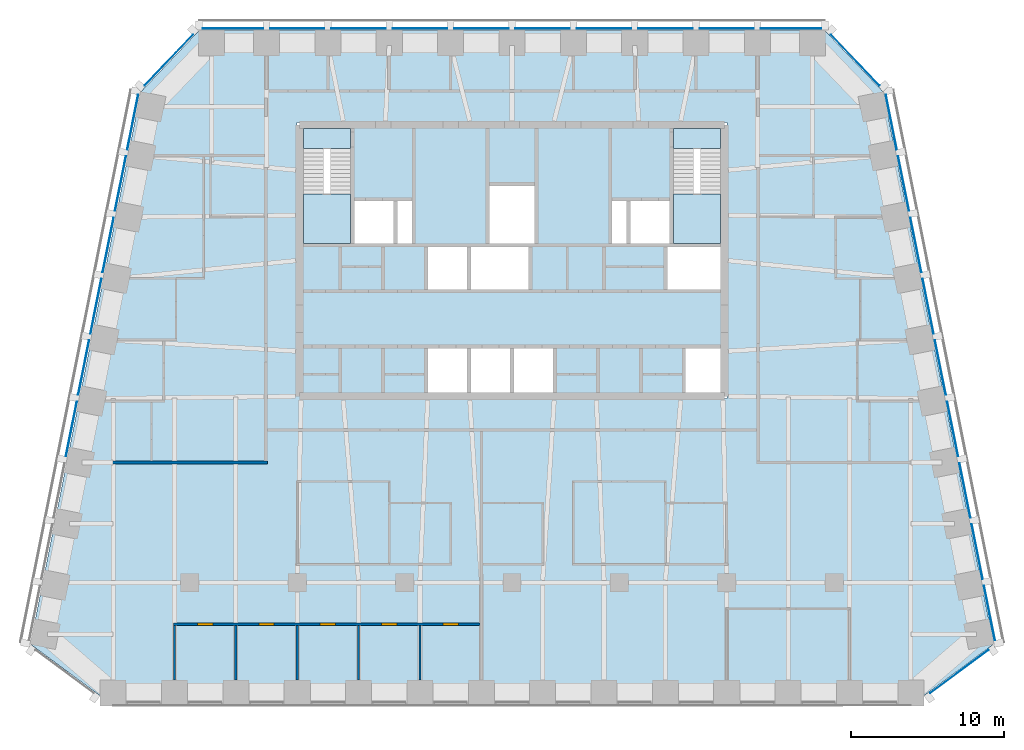
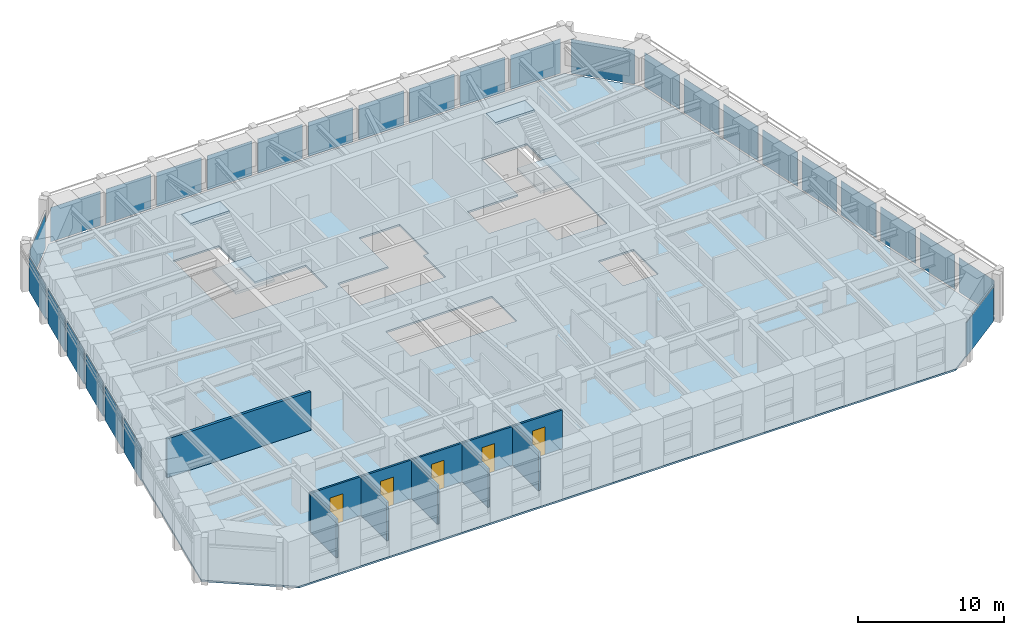
# One storey, part 4 of 11: 28 plates, 7 walls, 5 doors, 5 slabs, 5 openings, 8 elements without a shape of their own.
"""IFC4 building model written with IfcOpenShell, lengths in metres."""

from ifc_helpers import new_model, si_unit, direction, frame, frame_2d, origin, origin_2d, place, context, subcontext, project, spatial, polyline, rectangle, outline, extrude, material, layer, layer_set, type_object, element, fill, aggregate, save


model = new_model("IFC4")

# Units and contexts
model_context = context("Model", 3, precision=1e-05, world=origin(), true_north=direction((0.0, 1.0)))
body_context = subcontext(model_context, "Body", "Model", "MODEL_VIEW")
ifc_project = project(units=[si_unit("LENGTHUNIT", "METRE"), si_unit("AREAUNIT", "SQUARE_METRE"), si_unit("VOLUMEUNIT", "CUBIC_METRE"), si_unit("PLANEANGLEUNIT", "RADIAN"), si_unit("MASSUNIT", "GRAM", prefix="KILO")], contexts=[model_context])

# Site, building, storey
site_placement = place(None, origin())
site = spatial("IfcSite", under=ifc_project, at=site_placement, CompositionType="ELEMENT")
building_placement = place(site_placement, origin())
building = spatial("IfcBuilding", under=site, at=building_placement, Name="Isbrekke Arena Tower", CompositionType="ELEMENT")
storey_placement = place(building_placement, frame((0.0, 0.0, 264.0)))
storey = spatial("IfcBuildingStorey", under=building, at=storey_placement, Name="L61", CompositionType="ELEMENT", Elevation=264.0)

# Curtain wall, plate
ifc_material_1 = material(Name="Glazed aluminium curtain wall", Category="aluminium")
curtain_wall_type = type_object("IfcCurtainWallType", Name="CWT TOWER CURTAIN WALL TOP ZONE", PredefinedType="USERDEFINED", material=ifc_material_1)
curtain_wall_1_placement = place(storey_placement, origin())
curtain_wall_1 = element("IfcCurtainWall", 1, at=curtain_wall_1_placement, inside=storey, type_object=curtain_wall_type, Name="CWT curtain wall L61-SE", ObjectType="TOWER CURTAIN WALL TOP ZONE", PredefinedType="USERDEFINED")
ifc_material_2 = material(Name="Triple-glazed clear glass unit", Category="glass")
ifc_layer_1 = layer(ifc_material_2, 0.031982421875)
ifc_layer_set_1 = layer_set([ifc_layer_1], Name="CWT-P VISION PANEL")
plate_type = type_object("IfcPlateType", Name="CWT-P VISION PANEL", PredefinedType="CURTAIN_PANEL", material=ifc_layer_set_1)
plate_1_placement = place(storey_placement, frame((29.16259765625, -11.78173828125, 0.02001953125), z_axis=(0.0, 0.0, 1.0), x_axis=(0.803557193345, 0.595227550626, 0.0)))
plate_1 = element("IfcPlate", 2, at=plate_1_placement, type_object=plate_type, Name="CWT-P panel 1", PredefinedType="CURTAIN_PANEL", context=body_context, shape_type="SweptSolid", body=[
    extrude(rectangle(XDim=4.71435546875, YDim=0.031982421875, at=origin_2d()), origin(), (0.0, 0.0, 1.0), 2.8798828125),
])
aggregate(curtain_wall_1, [plate_1])

# Curtain wall, plates
curtain_wall_2_placement = place(storey_placement, origin())
curtain_wall_2 = element("IfcCurtainWall", 3, at=curtain_wall_2_placement, inside=storey, type_object=curtain_wall_type, Name="CWT curtain wall L61-E", ObjectType="TOWER CURTAIN WALL TOP ZONE", PredefinedType="USERDEFINED")
plate_2_placement = place(storey_placement, frame((31.12255859375, -7.9755859375, 0.02001953125), z_axis=(0.0, 0.0, 1.0), x_axis=(-0.196116135138, 0.980580675691, 0.0)))
plate_2 = element("IfcPlate", 4, at=plate_2_placement, type_object=plate_type, Name="CWT-P panel 1", PredefinedType="CURTAIN_PANEL", context=body_context, shape_type="SweptSolid", body=[
    extrude(rectangle(XDim=3.629150390625, YDim=0.031982421875, at=origin_2d()), origin(), (0.0, 0.0, 1.0), 2.8798828125),
])
plate_3_placement = place(storey_placement, frame((30.322509765625, -3.9755859375, 0.02001953125), z_axis=(0.0, 0.0, 1.0), x_axis=(-0.196116135138, 0.980580675691, 0.0)))
plate_3 = element("IfcPlate", 5, at=plate_3_placement, type_object=plate_type, Name="CWT-P panel 2", PredefinedType="CURTAIN_PANEL", context=body_context, shape_type="SweptSolid", body=[
    extrude(rectangle(XDim=3.629150390625, YDim=0.031982421875, at=origin_2d()), origin(), (0.0, 0.0, 1.0), 2.8798828125),
])
plate_4_placement = place(storey_placement, frame((29.5224609375, 0.0244140625, 0.02001953125), z_axis=(0.0, 0.0, 1.0), x_axis=(-0.196116135138, 0.980580675691, 0.0)))
plate_4 = element("IfcPlate", 6, at=plate_4_placement, type_object=plate_type, Name="CWT-P panel 3", PredefinedType="CURTAIN_PANEL", context=body_context, shape_type="SweptSolid", body=[
    extrude(rectangle(XDim=3.629150390625, YDim=0.031982421875, at=origin_2d()), origin(), (0.0, 0.0, 1.0), 2.8798828125),
])
plate_5_placement = place(storey_placement, frame((28.72265625, 4.0244140625, 0.02001953125), z_axis=(0.0, 0.0, 1.0), x_axis=(-0.196116135138, 0.980580675691, 0.0)))
plate_5 = element("IfcPlate", 7, at=plate_5_placement, type_object=plate_type, Name="CWT-P panel 4", PredefinedType="CURTAIN_PANEL", context=body_context, shape_type="SweptSolid", body=[
    extrude(rectangle(XDim=3.629150390625, YDim=0.031982421875, at=origin_2d()), origin(), (0.0, 0.0, 1.0), 2.8798828125),
])
plate_6_placement = place(storey_placement, frame((27.922607421875, 8.0244140625, 0.02001953125), z_axis=(0.0, 0.0, 1.0), x_axis=(-0.196116135138, 0.980580675691, 0.0)))
plate_6 = element("IfcPlate", 8, at=plate_6_placement, type_object=plate_type, Name="CWT-P panel 5", PredefinedType="CURTAIN_PANEL", context=body_context, shape_type="SweptSolid", body=[
    extrude(rectangle(XDim=3.629150390625, YDim=0.031982421875, at=origin_2d()), origin(), (0.0, 0.0, 1.0), 2.8798828125),
])
plate_7_placement = place(storey_placement, frame((27.12255859375, 12.0244140625, 0.02001953125), z_axis=(0.0, 0.0, 1.0), x_axis=(-0.196116135138, 0.980580675691, 0.0)))
plate_7 = element("IfcPlate", 9, at=plate_7_placement, type_object=plate_type, Name="CWT-P panel 6", PredefinedType="CURTAIN_PANEL", context=body_context, shape_type="SweptSolid", body=[
    extrude(rectangle(XDim=3.629150390625, YDim=0.031982421875, at=origin_2d()), origin(), (0.0, 0.0, 1.0), 2.8798828125),
])
plate_8_placement = place(storey_placement, frame((26.322509765625, 16.0244140625, 0.02001953125), z_axis=(0.0, 0.0, 1.0), x_axis=(-0.196116135138, 0.980580675691, 0.0)))
plate_8 = element("IfcPlate", 10, at=plate_8_placement, type_object=plate_type, Name="CWT-P panel 7", PredefinedType="CURTAIN_PANEL", context=body_context, shape_type="SweptSolid", body=[
    extrude(rectangle(XDim=3.629150390625, YDim=0.031982421875, at=origin_2d()), origin(), (0.0, 0.0, 1.0), 2.8798828125),
])
plate_9_placement = place(storey_placement, frame((25.5224609375, 20.0244140625, 0.02001953125), z_axis=(0.0, 0.0, 1.0), x_axis=(-0.196116135138, 0.980580675691, 0.0)))
plate_9 = element("IfcPlate", 11, at=plate_9_placement, type_object=plate_type, Name="CWT-P panel 8", PredefinedType="CURTAIN_PANEL", context=body_context, shape_type="SweptSolid", body=[
    extrude(rectangle(XDim=3.629150390625, YDim=0.031982421875, at=origin_2d()), origin(), (0.0, 0.0, 1.0), 2.8798828125),
])
plate_10_placement = place(storey_placement, frame((24.72265625, 24.0244140625, 0.02001953125), z_axis=(0.0, 0.0, 1.0), x_axis=(-0.196116135138, 0.980580675691, 0.0)))
plate_10 = element("IfcPlate", 12, at=plate_10_placement, type_object=plate_type, Name="CWT-P panel 9", PredefinedType="CURTAIN_PANEL", context=body_context, shape_type="SweptSolid", body=[
    extrude(rectangle(XDim=3.629150390625, YDim=0.031982421875, at=origin_2d()), origin(), (0.0, 0.0, 1.0), 2.8798828125),
])
aggregate(curtain_wall_2, [plate_2, plate_3, plate_4, plate_5, plate_6, plate_7, plate_8, plate_9, plate_10])

# Curtain wall, plate
curtain_wall_3_placement = place(storey_placement, origin())
curtain_wall_3 = element("IfcCurtainWall", 13, at=curtain_wall_3_placement, inside=storey, type_object=curtain_wall_type, Name="CWT curtain wall L61-EN", ObjectType="TOWER CURTAIN WALL TOP ZONE", PredefinedType="USERDEFINED")
plate_11_placement = place(storey_placement, frame((22.374755859375, 28.06640625, 0.02001953125), z_axis=(0.0, 0.0, 1.0), x_axis=(-0.68874946192, 0.72499943359, 0.0)))
plate_11 = element("IfcPlate", 14, at=plate_11_placement, type_object=plate_type, Name="CWT-P panel 1", PredefinedType="CURTAIN_PANEL", context=body_context, shape_type="SweptSolid", body=[
    extrude(rectangle(XDim=4.558349609375, YDim=0.031982421875, at=origin_2d()), origin(), (0.0, 0.0, 1.0), 2.8798828125),
])
aggregate(curtain_wall_3, [plate_11])

# Curtain wall, plates
curtain_wall_4_placement = place(storey_placement, origin())
curtain_wall_4 = element("IfcCurtainWall", 15, at=curtain_wall_4_placement, inside=storey, type_object=curtain_wall_type, Name="CWT curtain wall L61-N", ObjectType="TOWER CURTAIN WALL TOP ZONE", PredefinedType="USERDEFINED")
plate_12_placement = place(storey_placement, frame((18.199951171875, 30.125, 0.02001953125), z_axis=(0.0, 0.0, 1.0), x_axis=(-1.0, 0.0, 0.0)))
plate_12 = element("IfcPlate", 16, at=plate_12_placement, type_object=plate_type, Name="CWT-P panel 1", PredefinedType="CURTAIN_PANEL", context=body_context, shape_type="SweptSolid", body=[
    extrude(rectangle(XDim=3.949951171875, YDim=0.031982421875, at=origin_2d()), origin(), (0.0, 0.0, 1.0), 2.8798828125),
])
plate_13_placement = place(storey_placement, frame((14.0, 30.125, 0.02001953125), z_axis=(0.0, 0.0, 1.0), x_axis=(-1.0, 0.0, 0.0)))
plate_13 = element("IfcPlate", 17, at=plate_13_placement, type_object=plate_type, Name="CWT-P panel 2", PredefinedType="CURTAIN_PANEL", context=body_context, shape_type="SweptSolid", body=[
    extrude(rectangle(XDim=3.550048828125, YDim=0.031982421875, at=origin_2d()), origin(), (0.0, 0.0, 1.0), 2.8798828125),
])
plate_14_placement = place(storey_placement, frame((10.0, 30.125, 0.02001953125), z_axis=(0.0, 0.0, 1.0), x_axis=(-1.0, 0.0, 0.0)))
plate_14 = element("IfcPlate", 18, at=plate_14_placement, type_object=plate_type, Name="CWT-P panel 3", PredefinedType="CURTAIN_PANEL", context=body_context, shape_type="SweptSolid", body=[
    extrude(rectangle(XDim=3.550048828125, YDim=0.031982421875, at=origin_2d()), origin(), (0.0, 0.0, 1.0), 2.8798828125),
])
plate_15_placement = place(storey_placement, frame((6.0, 30.125, 0.02001953125), z_axis=(0.0, 0.0, 1.0), x_axis=(-1.0, 0.0, 0.0)))
plate_15 = element("IfcPlate", 19, at=plate_15_placement, type_object=plate_type, Name="CWT-P panel 4", PredefinedType="CURTAIN_PANEL", context=body_context, shape_type="SweptSolid", body=[
    extrude(rectangle(XDim=3.550048828125, YDim=0.031982421875, at=origin_2d()), origin(), (0.0, 0.0, 1.0), 2.8798828125),
])
plate_16_placement = place(storey_placement, frame((2.0, 30.125, 0.02001953125), z_axis=(0.0, 0.0, 1.0), x_axis=(-1.0, 0.0, 0.0)))
plate_16 = element("IfcPlate", 20, at=plate_16_placement, type_object=plate_type, Name="CWT-P panel 5", PredefinedType="CURTAIN_PANEL", context=body_context, shape_type="SweptSolid", body=[
    extrude(rectangle(XDim=3.550048828125, YDim=0.031982421875, at=origin_2d()), origin(), (0.0, 0.0, 1.0), 2.8798828125),
])
plate_17_placement = place(storey_placement, frame((-2.0, 30.125, 0.02001953125), z_axis=(0.0, 0.0, 1.0), x_axis=(-1.0, 0.0, 0.0)))
plate_17 = element("IfcPlate", 21, at=plate_17_placement, type_object=plate_type, Name="CWT-P panel 6", PredefinedType="CURTAIN_PANEL", context=body_context, shape_type="SweptSolid", body=[
    extrude(rectangle(XDim=3.550048828125, YDim=0.031982421875, at=origin_2d()), origin(), (0.0, 0.0, 1.0), 2.8798828125),
])
plate_18_placement = place(storey_placement, frame((-6.0, 30.125, 0.02001953125), z_axis=(0.0, 0.0, 1.0), x_axis=(-1.0, 0.0, 0.0)))
plate_18 = element("IfcPlate", 22, at=plate_18_placement, type_object=plate_type, Name="CWT-P panel 7", PredefinedType="CURTAIN_PANEL", context=body_context, shape_type="SweptSolid", body=[
    extrude(rectangle(XDim=3.550048828125, YDim=0.031982421875, at=origin_2d()), origin(), (0.0, 0.0, 1.0), 2.8798828125),
])
plate_19_placement = place(storey_placement, frame((-10.0, 30.125, 0.02001953125), z_axis=(0.0, 0.0, 1.0), x_axis=(-1.0, 0.0, 0.0)))
plate_19 = element("IfcPlate", 23, at=plate_19_placement, type_object=plate_type, Name="CWT-P panel 8", PredefinedType="CURTAIN_PANEL", context=body_context, shape_type="SweptSolid", body=[
    extrude(rectangle(XDim=3.550048828125, YDim=0.031982421875, at=origin_2d()), origin(), (0.0, 0.0, 1.0), 2.8798828125),
])
plate_20_placement = place(storey_placement, frame((-14.0, 30.125, 0.02001953125), z_axis=(0.0, 0.0, 1.0), x_axis=(-1.0, 0.0, 0.0)))
plate_20 = element("IfcPlate", 24, at=plate_20_placement, type_object=plate_type, Name="CWT-P panel 9", PredefinedType="CURTAIN_PANEL", context=body_context, shape_type="SweptSolid", body=[
    extrude(rectangle(XDim=3.550048828125, YDim=0.031982421875, at=origin_2d()), origin(), (0.0, 0.0, 1.0), 2.8798828125),
])
plate_21_placement = place(storey_placement, frame((-18.199951171875, 30.125, 0.02001953125), z_axis=(0.0, 0.0, 1.0), x_axis=(-1.0, 0.0, 0.0)))
plate_21 = element("IfcPlate", 25, at=plate_21_placement, type_object=plate_type, Name="CWT-P panel 10", PredefinedType="CURTAIN_PANEL", context=body_context, shape_type="SweptSolid", body=[
    extrude(rectangle(XDim=3.949951171875, YDim=0.031982421875, at=origin_2d()), origin(), (0.0, 0.0, 1.0), 2.8798828125),
])
aggregate(curtain_wall_4, [plate_12, plate_13, plate_14, plate_15, plate_16, plate_17, plate_18, plate_19, plate_20, plate_21])

# Curtain wall, plate
curtain_wall_5_placement = place(storey_placement, origin())
curtain_wall_5 = element("IfcCurtainWall", 26, at=curtain_wall_5_placement, inside=storey, type_object=curtain_wall_type, Name="CWT curtain wall L61-NW", ObjectType="TOWER CURTAIN WALL TOP ZONE", PredefinedType="USERDEFINED")
plate_22_placement = place(storey_placement, frame((-22.37451171875, 28.066650390625, 0.02001953125), z_axis=(0.0, 0.0, 1.0), x_axis=(-0.68874946192, -0.72499943359, 0.0)))
plate_22 = element("IfcPlate", 27, at=plate_22_placement, type_object=plate_type, Name="CWT-P panel 1", PredefinedType="CURTAIN_PANEL", context=body_context, shape_type="SweptSolid", body=[
    extrude(rectangle(XDim=4.557373046875, YDim=0.031982421875, at=origin_2d()), origin(), (0.0, 0.0, 1.0), 2.8798828125),
])
aggregate(curtain_wall_5, [plate_22])

# Curtain wall, plates
curtain_wall_6_placement = place(storey_placement, origin())
curtain_wall_6 = element("IfcCurtainWall", 28, at=curtain_wall_6_placement, inside=storey, type_object=curtain_wall_type, Name="CWT curtain wall L61-W", ObjectType="TOWER CURTAIN WALL TOP ZONE", PredefinedType="USERDEFINED")
plate_23_placement = place(storey_placement, frame((-24.72265625, 24.0244140625, 0.02001953125), z_axis=(0.0, 0.0, 1.0), x_axis=(-0.196116135138, -0.980580675691, 0.0)))
plate_23 = element("IfcPlate", 29, at=plate_23_placement, type_object=plate_type, Name="CWT-P panel 1", PredefinedType="CURTAIN_PANEL", context=body_context, shape_type="SweptSolid", body=[
    extrude(rectangle(XDim=3.629150390625, YDim=0.031982421875, at=origin_2d()), origin(), (0.0, 0.0, 1.0), 2.8798828125),
])
plate_24_placement = place(storey_placement, frame((-25.5224609375, 20.0244140625, 0.02001953125), z_axis=(0.0, 0.0, 1.0), x_axis=(-0.196116135138, -0.980580675691, 0.0)))
plate_24 = element("IfcPlate", 30, at=plate_24_placement, type_object=plate_type, Name="CWT-P panel 2", PredefinedType="CURTAIN_PANEL", context=body_context, shape_type="SweptSolid", body=[
    extrude(rectangle(XDim=3.629150390625, YDim=0.031982421875, at=origin_2d()), origin(), (0.0, 0.0, 1.0), 2.8798828125),
])
plate_25_placement = place(storey_placement, frame((-26.322509765625, 16.0244140625, 0.02001953125), z_axis=(0.0, 0.0, 1.0), x_axis=(-0.196116135138, -0.980580675691, 0.0)))
plate_25 = element("IfcPlate", 31, at=plate_25_placement, type_object=plate_type, Name="CWT-P panel 3", PredefinedType="CURTAIN_PANEL", context=body_context, shape_type="SweptSolid", body=[
    extrude(rectangle(XDim=3.629150390625, YDim=0.031982421875, at=origin_2d()), origin(), (0.0, 0.0, 1.0), 2.8798828125),
])
plate_26_placement = place(storey_placement, frame((-27.12255859375, 12.0244140625, 0.02001953125), z_axis=(0.0, 0.0, 1.0), x_axis=(-0.196116135138, -0.980580675691, 0.0)))
plate_26 = element("IfcPlate", 32, at=plate_26_placement, type_object=plate_type, Name="CWT-P panel 4", PredefinedType="CURTAIN_PANEL", context=body_context, shape_type="SweptSolid", body=[
    extrude(rectangle(XDim=3.629150390625, YDim=0.031982421875, at=origin_2d()), origin(), (0.0, 0.0, 1.0), 2.8798828125),
])
plate_27_placement = place(storey_placement, frame((-27.922607421875, 8.0244140625, 0.02001953125), z_axis=(0.0, 0.0, 1.0), x_axis=(-0.196116135138, -0.980580675691, 0.0)))
plate_27 = element("IfcPlate", 33, at=plate_27_placement, type_object=plate_type, Name="CWT-P panel 5", PredefinedType="CURTAIN_PANEL", context=body_context, shape_type="SweptSolid", body=[
    extrude(rectangle(XDim=3.629150390625, YDim=0.031982421875, at=origin_2d()), origin(), (0.0, 0.0, 1.0), 2.8798828125),
])
plate_28_placement = place(storey_placement, frame((-28.72265625, 4.0244140625, 0.02001953125), z_axis=(0.0, 0.0, 1.0), x_axis=(-0.196116135138, -0.980580675691, 0.0)))
plate_28 = element("IfcPlate", 34, at=plate_28_placement, type_object=plate_type, Name="CWT-P panel 6", PredefinedType="CURTAIN_PANEL", context=body_context, shape_type="SweptSolid", body=[
    extrude(rectangle(XDim=3.629150390625, YDim=0.031982421875, at=origin_2d()), origin(), (0.0, 0.0, 1.0), 2.8798828125),
])
aggregate(curtain_wall_6, [plate_23, plate_24, plate_25, plate_26, plate_27, plate_28])

# Slab
ifc_material_3 = material(Name="Concrete B35 (C35/45)", Category="concrete")
ifc_layer_2 = layer(ifc_material_3, 0.14990234375)
ifc_layer_set_2 = layer_set([ifc_layer_2], Name="FS1 COMPOSITE FLOOR 150")
slab_type_1 = type_object("IfcSlabType", Name="FS1 COMPOSITE FLOOR 150", PredefinedType="FLOOR", material=ifc_layer_set_2)
slab_1_placement = place(storey_placement, frame((0.0, 0.0, -0.14990234375)))
element("IfcSlab", 35, at=slab_1_placement, inside=storey, type_object=slab_type_1, Name="FS1 floor slab L61", PredefinedType="FLOOR", context=body_context, shape_type="SweptSolid", body=[
    extrude(outline(polyline([(-26.0, -14.0), (26.0, -14.0), (31.39990234375, -10.0), (24.199951171875, 26.0), (20.39990234375, 30.0), (-20.39990234375, 30.0), (-24.199951171875, 26.0), (-31.39990234375, -10.0), (-26.0, -14.0)]), holes=[polyline([(2.800048828125, 9.39990234375), (2.800048828125, 6.0), (-5.60009765625, 6.0), (-5.60009765625, 9.39990234375), (2.800048828125, 9.39990234375)]), polyline([(11.199951171875, 6.0), (11.199951171875, 9.39990234375), (14.0, 9.39990234375), (14.0, 6.0), (11.199951171875, 6.0)]), polyline([(-5.60009765625, 13.0), (-5.60009765625, 16.0), (-1.60009765625, 16.0), (-1.60009765625, 20.0), (1.60009765625, 20.0), (1.60009765625, 16.0), (1.199951171875, 16.0), (1.199951171875, 13.0), (-5.60009765625, 13.0)]), polyline([(14.0, 13.0), (10.0, 13.0), (10.0, 16.0), (6.39990234375, 16.0), (6.39990234375, 19.0), (10.39990234375, 19.0), (10.39990234375, 24.0), (14.0, 24.0), (14.0, 13.0)]), polyline([(-6.39990234375, 19.0), (-6.39990234375, 16.0), (-14.0, 16.0), (-14.0, 24.0), (-10.39990234375, 24.0), (-10.39990234375, 19.0), (-6.39990234375, 19.0)])]), origin(), (0.0, 0.0, 1.0), 0.14990234375),
])

# Stair, slabs
ifc_material_4 = material(Name="Concrete B45 (C45/55) precast", Category="concrete")
stair_type = type_object("IfcStairType", Name="ST40 STAIR 1300 WIDE, 24 RISERS 167", PredefinedType="HALF_TURN_STAIR", material=ifc_material_4)
stair_1_placement = place(storey_placement, origin())
stair_1 = element("IfcStair", 36, at=stair_1_placement, inside=storey, type_object=stair_type, Name="ST1 stair L61", PredefinedType="HALF_TURN_STAIR")
ifc_material_5 = material(Name="Concrete B35 (C35/45)", Category="concrete")
ifc_layer_3 = layer(ifc_material_5, 0.199951171875)
ifc_layer_set_3 = layer_set([ifc_layer_3], Name="SL1 STAIR LANDING 200")
slab_type_2 = type_object("IfcSlabType", Name="SL1 STAIR LANDING 200", PredefinedType="LANDING", material=ifc_layer_set_3)
slab_2_placement = place(storey_placement, frame((0.0, 0.0, 1.800048828125)))
slab_2 = element("IfcSlab", 37, at=slab_2_placement, type_object=slab_type_2, Name="ST1 landing 1", PredefinedType="LANDING", context=body_context, shape_type="SweptSolid", body=[
    extrude(outline(polyline([(-13.60009765625, 16.125), (-10.52490234375, 16.125), (-10.52490234375, 19.330078125), (-13.60009765625, 19.330078125), (-13.60009765625, 16.125)])), origin(), (0.0, 0.0, 1.0), 0.199951171875),
])
slab_3_placement = place(storey_placement, frame((0.0, 0.0, 3.800048828125)))
slab_3 = element("IfcSlab", 38, at=slab_3_placement, type_object=slab_type_2, Name="ST1 landing 2", PredefinedType="LANDING", context=body_context, shape_type="SweptSolid", body=[
    extrude(outline(polyline([(-13.60009765625, 22.300048828125), (-10.52490234375, 22.300048828125), (-10.52490234375, 23.60009765625), (-13.60009765625, 23.60009765625), (-13.60009765625, 22.300048828125)])), origin(), (0.0, 0.0, 1.0), 0.199951171875),
])
aggregate(stair_1, [slab_2, slab_3])

stair_2_placement = place(storey_placement, origin())
stair_2 = element("IfcStair", 39, at=stair_2_placement, inside=storey, type_object=stair_type, Name="ST2 stair L61", PredefinedType="HALF_TURN_STAIR")
slab_4_placement = place(storey_placement, frame((0.0, 0.0, 1.800048828125)))
slab_4 = element("IfcSlab", 40, at=slab_4_placement, type_object=slab_type_2, Name="ST2 landing 1", PredefinedType="LANDING", context=body_context, shape_type="SweptSolid", body=[
    extrude(outline(polyline([(10.52490234375, 16.125), (13.60009765625, 16.125), (13.60009765625, 19.330078125), (10.52490234375, 19.330078125), (10.52490234375, 16.125)])), origin(), (0.0, 0.0, 1.0), 0.199951171875),
])
slab_5_placement = place(storey_placement, frame((0.0, 0.0, 3.800048828125)))
slab_5 = element("IfcSlab", 41, at=slab_5_placement, type_object=slab_type_2, Name="ST2 landing 2", PredefinedType="LANDING", context=body_context, shape_type="SweptSolid", body=[
    extrude(outline(polyline([(10.52490234375, 22.300048828125), (13.60009765625, 22.300048828125), (13.60009765625, 23.60009765625), (10.52490234375, 23.60009765625), (10.52490234375, 22.300048828125)])), origin(), (0.0, 0.0, 1.0), 0.199951171875),
])
aggregate(stair_2, [slab_4, slab_5])

# Wall, openings, doors
ifc_material_6 = material(Name="Gypsum board partition on steel studs", Category="steel")
ifc_layer_4 = layer(ifc_material_6, 0.14990234375)
ifc_layer_set_4 = layer_set([ifc_layer_4], Name="IW1 PARTITION 150")
wall_type_1 = type_object("IfcWallType", Name="IW1 PARTITION 150", PredefinedType="PARTITIONING", material=ifc_layer_set_4)
wall_1_placement = place(storey_placement, frame((-22.074951171875, -8.699951171875, 0.0), z_axis=(0.0, 0.0, 1.0), x_axis=(1.0, 0.0, 0.0)))
wall_1 = element("IfcWall", 42, at=wall_1_placement, inside=storey, type_object=wall_type_1, Name="IW1 partition 150 L61", PredefinedType="PARTITIONING", context=body_context, shape_type="SweptSolid", body=[
    extrude(rectangle(XDim=19.974853515625, YDim=0.14990234375, at=frame_2d((9.9873046875, 0.0))), origin(), (0.0, 0.0, 1.0), 3.22998046875),
])
opening_1_placement = place(wall_1_placement, frame((1.574951171875, 0.0, 0.0)))
opening_1 = element("IfcOpeningElement", 43, at=opening_1_placement, cuts=wall_1, Name="Opening D10", PredefinedType="OPENING", context=body_context, shape_type="SweptSolid", body=[
    extrude(rectangle(XDim=1.0, YDim=2.300048828125, at=frame_2d((0.5, 1.14990234375))), frame((0.0, 0.08984375, 0.0), z_axis=(0.0, -1.0, 0.0), x_axis=(1.0, 0.0, 0.0)), (0.0, 0.0, 1.0), 0.1796875),
])
opening_2_placement = place(wall_1_placement, frame((5.574951171875, 0.0, 0.0)))
opening_2 = element("IfcOpeningElement", 44, at=opening_2_placement, cuts=wall_1, Name="Opening D10", PredefinedType="OPENING", context=body_context, shape_type="SweptSolid", body=[
    extrude(rectangle(XDim=1.0, YDim=2.300048828125, at=frame_2d((0.5, 1.14990234375))), frame((0.0, 0.08984375, 0.0), z_axis=(0.0, -1.0, 0.0), x_axis=(1.0, 0.0, 0.0)), (0.0, 0.0, 1.0), 0.1796875),
])
opening_3_placement = place(wall_1_placement, frame((9.574951171875, 0.0, 0.0)))
opening_3 = element("IfcOpeningElement", 45, at=opening_3_placement, cuts=wall_1, Name="Opening D10", PredefinedType="OPENING", context=body_context, shape_type="SweptSolid", body=[
    extrude(rectangle(XDim=1.0, YDim=2.300048828125, at=frame_2d((0.5, 1.14990234375))), frame((0.0, 0.08984375, 0.0), z_axis=(0.0, -1.0, 0.0), x_axis=(1.0, 0.0, 0.0)), (0.0, 0.0, 1.0), 0.1796875),
])
opening_4_placement = place(wall_1_placement, frame((13.574951171875, 0.0, 0.0)))
opening_4 = element("IfcOpeningElement", 46, at=opening_4_placement, cuts=wall_1, Name="Opening D10", PredefinedType="OPENING", context=body_context, shape_type="SweptSolid", body=[
    extrude(rectangle(XDim=1.0, YDim=2.300048828125, at=frame_2d((0.5, 1.14990234375))), frame((0.0, 0.08984375, 0.0), z_axis=(0.0, -1.0, 0.0), x_axis=(1.0, 0.0, 0.0)), (0.0, 0.0, 1.0), 0.1796875),
])
opening_5_placement = place(wall_1_placement, frame((17.574951171875, 0.0, 0.0)))
opening_5 = element("IfcOpeningElement", 47, at=opening_5_placement, cuts=wall_1, Name="Opening D10", PredefinedType="OPENING", context=body_context, shape_type="SweptSolid", body=[
    extrude(rectangle(XDim=1.0, YDim=2.300048828125, at=frame_2d((0.5, 1.14990234375))), frame((0.0, 0.08984375, 0.0), z_axis=(0.0, -1.0, 0.0), x_axis=(1.0, 0.0, 0.0)), (0.0, 0.0, 1.0), 0.1796875),
])
ifc_material_7 = material(Name="Timber door", Category="wood")
door_type = type_object("IfcDoorType", Name="D10 OFFICE DOOR 1000 x 2300", OperationType="SINGLE_SWING_LEFT", PredefinedType="DOOR", material=ifc_material_7)
door_1_placement = place(opening_1_placement, origin())
door_1 = element("IfcDoor", 48, at=door_1_placement, inside=storey, type_object=door_type, Name="D10 office door L61", OperationType="SINGLE_SWING_LEFT", OverallHeight=2.300048828125, OverallWidth=1.0, PredefinedType="DOOR", context=body_context, shape_type="SweptSolid", body=[
    extrude(rectangle(XDim=1.0, YDim=2.300048828125, at=frame_2d((0.5, 1.14990234375))), frame((0.0, 0.07470703125, 0.0), z_axis=(0.0, -1.0, 0.0), x_axis=(1.0, 0.0, 0.0)), (0.0, 0.0, 1.0), 0.1494140625),
])
fill(opening_1, door_1)
door_2_placement = place(opening_2_placement, origin())
door_2 = element("IfcDoor", 49, at=door_2_placement, inside=storey, type_object=door_type, Name="D10 office door L61", OperationType="SINGLE_SWING_LEFT", OverallHeight=2.300048828125, OverallWidth=1.0, PredefinedType="DOOR", context=body_context, shape_type="SweptSolid", body=[
    extrude(rectangle(XDim=1.0, YDim=2.300048828125, at=frame_2d((0.5, 1.14990234375))), frame((0.0, 0.07470703125, 0.0), z_axis=(0.0, -1.0, 0.0), x_axis=(1.0, 0.0, 0.0)), (0.0, 0.0, 1.0), 0.1494140625),
])
fill(opening_2, door_2)
door_3_placement = place(opening_3_placement, origin())
door_3 = element("IfcDoor", 50, at=door_3_placement, inside=storey, type_object=door_type, Name="D10 office door L61", OperationType="SINGLE_SWING_LEFT", OverallHeight=2.300048828125, OverallWidth=1.0, PredefinedType="DOOR", context=body_context, shape_type="SweptSolid", body=[
    extrude(rectangle(XDim=1.0, YDim=2.300048828125, at=frame_2d((0.5, 1.14990234375))), frame((0.0, 0.07470703125, 0.0), z_axis=(0.0, -1.0, 0.0), x_axis=(1.0, 0.0, 0.0)), (0.0, 0.0, 1.0), 0.1494140625),
])
fill(opening_3, door_3)
door_4_placement = place(opening_4_placement, origin())
door_4 = element("IfcDoor", 51, at=door_4_placement, inside=storey, type_object=door_type, Name="D10 office door L61", OperationType="SINGLE_SWING_LEFT", OverallHeight=2.300048828125, OverallWidth=1.0, PredefinedType="DOOR", context=body_context, shape_type="SweptSolid", body=[
    extrude(rectangle(XDim=1.0, YDim=2.300048828125, at=frame_2d((0.5, 1.14990234375))), frame((0.0, 0.07470703125, 0.0), z_axis=(0.0, -1.0, 0.0), x_axis=(1.0, 0.0, 0.0)), (0.0, 0.0, 1.0), 0.1494140625),
])
fill(opening_4, door_4)
door_5_placement = place(opening_5_placement, origin())
door_5 = element("IfcDoor", 52, at=door_5_placement, inside=storey, type_object=door_type, Name="D10 office door L61", OperationType="SINGLE_SWING_LEFT", OverallHeight=2.300048828125, OverallWidth=1.0, PredefinedType="DOOR", context=body_context, shape_type="SweptSolid", body=[
    extrude(rectangle(XDim=1.0, YDim=2.300048828125, at=frame_2d((0.5, 1.14990234375))), frame((0.0, 0.07470703125, 0.0), z_axis=(0.0, -1.0, 0.0), x_axis=(1.0, 0.0, 0.0)), (0.0, 0.0, 1.0), 0.1494140625),
])
fill(opening_5, door_5)

# Walls
for number, where, z_axis, x_axis, name in (
    (53, (-22.0, -12.324951171875, 0.0), (0.0, 0.0, 1.0), (0.0, 1.0, 0.0), "IW1 partition 150 L61"),
    (54, (-18.0, -12.324951171875, 0.0), (0.0, 0.0, 1.0), (0.0, 1.0, 0.0), "IW1 partition 150 L61"),
    (55, (-14.0, -12.324951171875, 0.0), (0.0, 0.0, 1.0), (0.0, 1.0, 0.0), "IW1 partition 150 L61"),
    (56, (-10.0, -12.324951171875, 0.0), (0.0, 0.0, 1.0), (0.0, 1.0, 0.0), "IW1 partition 150 L61"),
    (57, (-6.0, -12.324951171875, 0.0), (0.0, 0.0, 1.0), (0.0, 1.0, 0.0), "IW1 partition 150 L61"),
):
    element("IfcWall", number, at=place(storey_placement, frame(where, z_axis=z_axis, x_axis=x_axis)), inside=storey, type_object=wall_type_1, Name=name, PredefinedType="PARTITIONING", context=body_context, shape_type="SweptSolid", body=[
        extrude(rectangle(XDim=3.550048828125, YDim=0.14990234375, at=frame_2d((1.77490234375, 0.0))), origin(), (0.0, 0.0, 1.0), 3.22998046875),
    ])
ifc_material_8 = material(Name="Gypsum board fire-cell wall on steel studs, two layers each side", Category="steel")
ifc_layer_5 = layer(ifc_material_8, 0.199951171875)
ifc_layer_set_5 = layer_set([ifc_layer_5], Name="IW3 FIRE-CELL WALL 200")
wall_type_2 = type_object("IfcWallType", Name="IW3 FIRE-CELL WALL 200", PredefinedType="PARTITIONING", material=ifc_layer_set_5)
wall_2_placement = place(storey_placement, frame((-27.32373046875, 1.840087890625, 0.0), z_axis=(0.0, 0.0, 1.0), x_axis=(1.0, 0.0, 0.0)))
element("IfcWall", 58, at=wall_2_placement, inside=storey, type_object=wall_type_2, Name="IW3 fire-cell wall 200 L61", PredefinedType="PARTITIONING", context=body_context, shape_type="SweptSolid", body=[
    extrude(rectangle(XDim=11.373779296875, YDim=0.199951171875, at=frame_2d((5.68701171875, 0.0))), origin(), (0.0, 0.0, 1.0), 3.22998046875),
])

save(model, "model.ifc")
